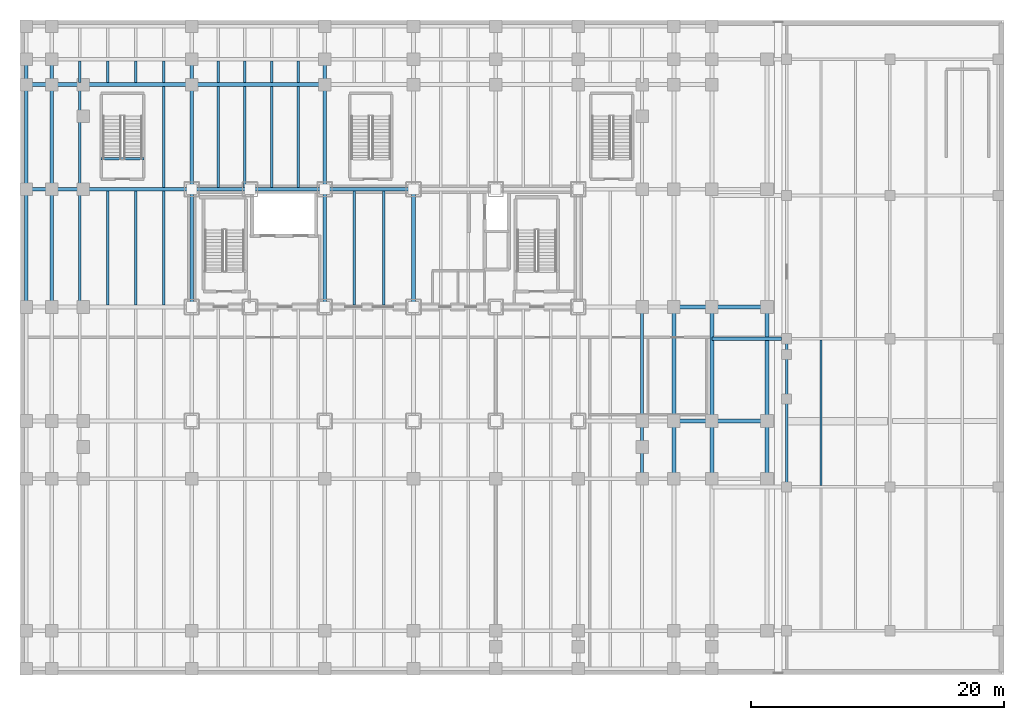
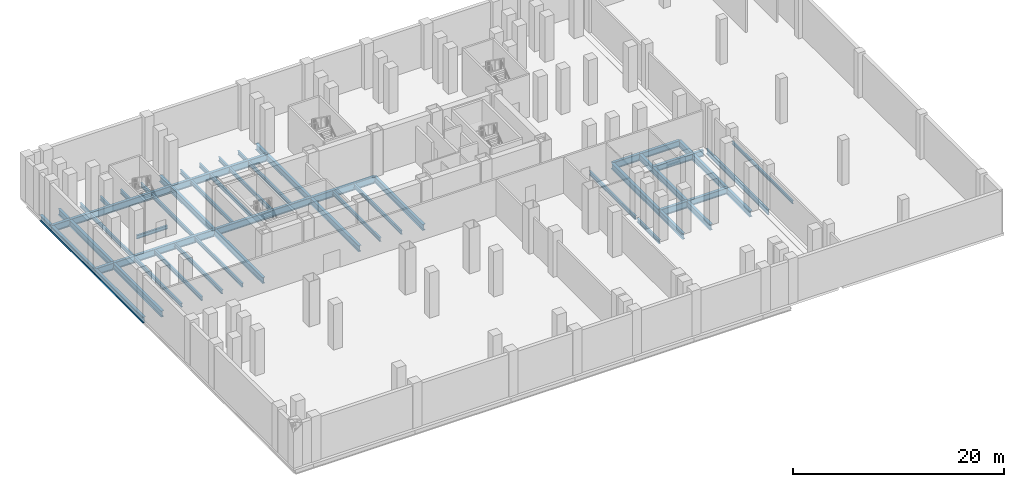
# One storey, part 4 of 15: 56 beams.
"""IFC4 building model written with IfcOpenShell, lengths in metres."""

from ifc_helpers import new_model, si_unit, direction, frame, origin, origin_2d, place, context, subcontext, project, spatial, i_section, extrude, material, material_profile, profile_set, type_object, element, save


model = new_model("IFC4")

# Units and contexts
model_context = context("Model", 3, precision=1e-05, world=origin(), true_north=direction((0.0, 1.0)))
body_context = subcontext(model_context, "Body", "Model", "MODEL_VIEW")
ifc_project = project(units=[si_unit("LENGTHUNIT", "METRE"), si_unit("AREAUNIT", "SQUARE_METRE"), si_unit("VOLUMEUNIT", "CUBIC_METRE"), si_unit("PLANEANGLEUNIT", "RADIAN"), si_unit("MASSUNIT", "GRAM", prefix="KILO")], contexts=[model_context])

# Site, building, storey
site_placement = place(None, origin())
site = spatial("IfcSite", under=ifc_project, at=site_placement, CompositionType="ELEMENT")
building_placement = place(site_placement, origin())
building = spatial("IfcBuilding", under=site, at=building_placement, Name="Noeulbin Bourse Tower", CompositionType="ELEMENT")
storey_placement = place(building_placement, frame((0.0, 0.0, -10.199951171875)))
storey = spatial("IfcBuildingStorey", under=building, at=storey_placement, Name="B02", CompositionType="ELEMENT", Elevation=-10.199951171875)

# Beams
ifc_material = material(Name="Steel S355", Category="steel")
ifc_material_profile_1 = material_profile(ifc_material, i_section(OverallWidth=0.199951171875, OverallDepth=0.60009765625, WebThickness=0.010986328125, FlangeThickness=0.01708984375, FilletRadius=0.02197265625, at=origin_2d()), Name="H-600x200x11x17", Category="LoadBearing")
ifc_profile_set_1 = profile_set([ifc_material_profile_1], Name="Steel S355")
beam_type_1 = type_object("IfcBeamType", Name="BM-GRD-600", PredefinedType="USERDEFINED", material=ifc_profile_set_1)
beam_1_placement = place(storey_placement, frame((60.449951171875, 14.800048828125, -0.580078125), z_axis=(0.0, 1.0, 0.0), x_axis=(-1.0, 0.0, 0.0)))
element("IfcBeam", 1, at=beam_1_placement, inside=storey, type_object=beam_type_1, Name="Market Hall Girder NS B02-12", ObjectType="GIRDER", PredefinedType="USERDEFINED", context=body_context, shape_type="SweptSolid", body=[
    extrude(i_section(OverallWidth=0.199951171875, OverallDepth=0.60009765625, WebThickness=0.010986328125, FlangeThickness=0.01708984375, FilletRadius=0.02197265625, at=origin_2d()), origin(), (0.0, 0.0, 1.0), 11.699951171875),
])
ifc_material_profile_2 = material_profile(ifc_material, i_section(OverallWidth=0.300048828125, OverallDepth=0.699951171875, WebThickness=0.012939453125, FlangeThickness=0.02392578125, FilletRadius=0.02392578125, at=origin_2d()), Name="H-700x300x13x24", Category="LoadBearing")
ifc_profile_set_2 = profile_set([ifc_material_profile_2], Name="Steel S355")
beam_type_2 = type_object("IfcBeamType", Name="BM-GRD-700", PredefinedType="USERDEFINED", material=ifc_profile_set_2)
beam_2_placement = place(storey_placement, frame((0.449951171875, 29.0, -0.630126953125), z_axis=(0.0, 1.0, 0.0), x_axis=(-1.0, 0.0, 0.0)))
element("IfcBeam", 2, at=beam_2_placement, inside=storey, type_object=beam_type_2, Name="Podium Primary Girder NS B02-077", ObjectType="GIRDER", PredefinedType="USERDEFINED", context=body_context, shape_type="SweptSolid", body=[
    extrude(i_section(OverallWidth=0.300048828125, OverallDepth=0.699951171875, WebThickness=0.012939453125, FlangeThickness=0.02392578125, FilletRadius=0.02392578125, at=origin_2d()), origin(), (0.0, 0.0, 1.0), 9.300048828125),
])
beam_3_placement = place(storey_placement, frame((0.449951171875, 38.300048828125, -0.630126953125), z_axis=(0.0, 1.0, 0.0), x_axis=(-1.0, 0.0, 0.0)))
element("IfcBeam", 3, at=beam_3_placement, inside=storey, type_object=beam_type_2, Name="Podium Primary Girder NS B02-078", ObjectType="GIRDER", PredefinedType="USERDEFINED", context=body_context, shape_type="SweptSolid", body=[
    extrude(i_section(OverallWidth=0.300048828125, OverallDepth=0.699951171875, WebThickness=0.012939453125, FlangeThickness=0.02392578125, FilletRadius=0.02392578125, at=origin_2d()), origin(), (0.0, 0.0, 1.0), 8.25),
])
beam_4_placement = place(storey_placement, frame((0.449951171875, 46.550048828125, -0.630126953125), z_axis=(0.0, 1.0, 0.0), x_axis=(-1.0, 0.0, 0.0)))
element("IfcBeam", 4, at=beam_4_placement, inside=storey, type_object=beam_type_2, Name="Podium Primary Girder NS B02-079", ObjectType="GIRDER", PredefinedType="USERDEFINED", context=body_context, shape_type="SweptSolid", body=[
    extrude(i_section(OverallWidth=0.300048828125, OverallDepth=0.699951171875, WebThickness=0.012939453125, FlangeThickness=0.02392578125, FilletRadius=0.02392578125, at=origin_2d()), origin(), (0.0, 0.0, 1.0), 2.0),
])
beam_5_placement = place(storey_placement, frame((2.449951171875, 29.0, -0.630126953125), z_axis=(0.0, 1.0, 0.0), x_axis=(-1.0, 0.0, 0.0)))
element("IfcBeam", 5, at=beam_5_placement, inside=storey, type_object=beam_type_2, Name="Podium Primary Girder NS B02-085", ObjectType="GIRDER", PredefinedType="USERDEFINED", context=body_context, shape_type="SweptSolid", body=[
    extrude(i_section(OverallWidth=0.300048828125, OverallDepth=0.699951171875, WebThickness=0.012939453125, FlangeThickness=0.02392578125, FilletRadius=0.02392578125, at=origin_2d()), origin(), (0.0, 0.0, 1.0), 9.300048828125),
])
beam_6_placement = place(storey_placement, frame((2.449951171875, 38.300048828125, -0.630126953125), z_axis=(0.0, 1.0, 0.0), x_axis=(-1.0, 0.0, 0.0)))
element("IfcBeam", 6, at=beam_6_placement, inside=storey, type_object=beam_type_2, Name="Podium Primary Girder NS B02-086", ObjectType="GIRDER", PredefinedType="USERDEFINED", context=body_context, shape_type="SweptSolid", body=[
    extrude(i_section(OverallWidth=0.300048828125, OverallDepth=0.699951171875, WebThickness=0.012939453125, FlangeThickness=0.02392578125, FilletRadius=0.02392578125, at=origin_2d()), origin(), (0.0, 0.0, 1.0), 8.25),
])
beam_7_placement = place(storey_placement, frame((2.449951171875, 46.550048828125, -0.630126953125), z_axis=(0.0, 1.0, 0.0), x_axis=(-1.0, 0.0, 0.0)))
element("IfcBeam", 7, at=beam_7_placement, inside=storey, type_object=beam_type_2, Name="Podium Primary Girder NS B02-087", ObjectType="GIRDER", PredefinedType="USERDEFINED", context=body_context, shape_type="SweptSolid", body=[
    extrude(i_section(OverallWidth=0.300048828125, OverallDepth=0.699951171875, WebThickness=0.012939453125, FlangeThickness=0.02392578125, FilletRadius=0.02392578125, at=origin_2d()), origin(), (0.0, 0.0, 1.0), 2.0),
])
beam_8_placement = place(storey_placement, frame((13.5, 29.0, -0.630126953125), z_axis=(0.0, 1.0, 0.0), x_axis=(-1.0, 0.0, 0.0)))
element("IfcBeam", 8, at=beam_8_placement, inside=storey, type_object=beam_type_2, Name="Podium Primary Girder NS B02-093", ObjectType="GIRDER", PredefinedType="USERDEFINED", context=body_context, shape_type="SweptSolid", body=[
    extrude(i_section(OverallWidth=0.300048828125, OverallDepth=0.699951171875, WebThickness=0.012939453125, FlangeThickness=0.02392578125, FilletRadius=0.02392578125, at=origin_2d()), origin(), (0.0, 0.0, 1.0), 9.300048828125),
])
beam_9_placement = place(storey_placement, frame((13.5, 38.300048828125, -0.630126953125), z_axis=(0.0, 1.0, 0.0), x_axis=(-1.0, 0.0, 0.0)))
element("IfcBeam", 9, at=beam_9_placement, inside=storey, type_object=beam_type_2, Name="Podium Primary Girder NS B02-094", ObjectType="GIRDER", PredefinedType="USERDEFINED", context=body_context, shape_type="SweptSolid", body=[
    extrude(i_section(OverallWidth=0.300048828125, OverallDepth=0.699951171875, WebThickness=0.012939453125, FlangeThickness=0.02392578125, FilletRadius=0.02392578125, at=origin_2d()), origin(), (0.0, 0.0, 1.0), 8.25),
])
beam_10_placement = place(storey_placement, frame((13.5, 46.550048828125, -0.630126953125), z_axis=(0.0, 1.0, 0.0), x_axis=(-1.0, 0.0, 0.0)))
element("IfcBeam", 10, at=beam_10_placement, inside=storey, type_object=beam_type_2, Name="Podium Primary Girder NS B02-095", ObjectType="GIRDER", PredefinedType="USERDEFINED", context=body_context, shape_type="SweptSolid", body=[
    extrude(i_section(OverallWidth=0.300048828125, OverallDepth=0.699951171875, WebThickness=0.012939453125, FlangeThickness=0.02392578125, FilletRadius=0.02392578125, at=origin_2d()), origin(), (0.0, 0.0, 1.0), 2.0),
])
beam_11_placement = place(storey_placement, frame((24.0, 29.0, -0.630126953125), z_axis=(0.0, 1.0, 0.0), x_axis=(-1.0, 0.0, 0.0)))
element("IfcBeam", 11, at=beam_11_placement, inside=storey, type_object=beam_type_2, Name="Podium Primary Girder NS B02-101", ObjectType="GIRDER", PredefinedType="USERDEFINED", context=body_context, shape_type="SweptSolid", body=[
    extrude(i_section(OverallWidth=0.300048828125, OverallDepth=0.699951171875, WebThickness=0.012939453125, FlangeThickness=0.02392578125, FilletRadius=0.02392578125, at=origin_2d()), origin(), (0.0, 0.0, 1.0), 9.300048828125),
])
beam_12_placement = place(storey_placement, frame((24.0, 38.300048828125, -0.630126953125), z_axis=(0.0, 1.0, 0.0), x_axis=(-1.0, 0.0, 0.0)))
element("IfcBeam", 12, at=beam_12_placement, inside=storey, type_object=beam_type_2, Name="Podium Primary Girder NS B02-102", ObjectType="GIRDER", PredefinedType="USERDEFINED", context=body_context, shape_type="SweptSolid", body=[
    extrude(i_section(OverallWidth=0.300048828125, OverallDepth=0.699951171875, WebThickness=0.012939453125, FlangeThickness=0.02392578125, FilletRadius=0.02392578125, at=origin_2d()), origin(), (0.0, 0.0, 1.0), 8.25),
])
beam_13_placement = place(storey_placement, frame((24.0, 46.550048828125, -0.630126953125), z_axis=(0.0, 1.0, 0.0), x_axis=(-1.0, 0.0, 0.0)))
element("IfcBeam", 13, at=beam_13_placement, inside=storey, type_object=beam_type_2, Name="Podium Primary Girder NS B02-103", ObjectType="GIRDER", PredefinedType="USERDEFINED", context=body_context, shape_type="SweptSolid", body=[
    extrude(i_section(OverallWidth=0.300048828125, OverallDepth=0.699951171875, WebThickness=0.012939453125, FlangeThickness=0.02392578125, FilletRadius=0.02392578125, at=origin_2d()), origin(), (0.0, 0.0, 1.0), 2.0),
])
beam_14_placement = place(storey_placement, frame((31.0, 29.0, -0.630126953125), z_axis=(0.0, 1.0, 0.0), x_axis=(-1.0, 0.0, 0.0)))
element("IfcBeam", 14, at=beam_14_placement, inside=storey, type_object=beam_type_2, Name="Podium Primary Girder NS B02-109", ObjectType="GIRDER", PredefinedType="USERDEFINED", context=body_context, shape_type="SweptSolid", body=[
    extrude(i_section(OverallWidth=0.300048828125, OverallDepth=0.699951171875, WebThickness=0.012939453125, FlangeThickness=0.02392578125, FilletRadius=0.02392578125, at=origin_2d()), origin(), (0.0, 0.0, 1.0), 9.300048828125),
])
beam_15_placement = place(storey_placement, frame((51.550048828125, 15.449951171875, -0.630126953125), z_axis=(0.0, 1.0, 0.0), x_axis=(-1.0, 0.0, 0.0)))
element("IfcBeam", 15, at=beam_15_placement, inside=storey, type_object=beam_type_2, Name="Podium Primary Girder NS B02-130", ObjectType="GIRDER", PredefinedType="USERDEFINED", context=body_context, shape_type="SweptSolid", body=[
    extrude(i_section(OverallWidth=0.300048828125, OverallDepth=0.699951171875, WebThickness=0.012939453125, FlangeThickness=0.02392578125, FilletRadius=0.02392578125, at=origin_2d()), origin(), (0.0, 0.0, 1.0), 4.550048828125),
])
beam_16_placement = place(storey_placement, frame((51.550048828125, 20.0, -0.630126953125), z_axis=(0.0, 1.0, 0.0), x_axis=(-1.0, 0.0, 0.0)))
element("IfcBeam", 16, at=beam_16_placement, inside=storey, type_object=beam_type_2, Name="Podium Primary Girder NS B02-131", ObjectType="GIRDER", PredefinedType="USERDEFINED", context=body_context, shape_type="SweptSolid", body=[
    extrude(i_section(OverallWidth=0.300048828125, OverallDepth=0.699951171875, WebThickness=0.012939453125, FlangeThickness=0.02392578125, FilletRadius=0.02392578125, at=origin_2d()), origin(), (0.0, 0.0, 1.0), 9.0),
])
beam_17_placement = place(storey_placement, frame((54.550048828125, 15.449951171875, -0.630126953125), z_axis=(0.0, 1.0, 0.0), x_axis=(-1.0, 0.0, 0.0)))
element("IfcBeam", 17, at=beam_17_placement, inside=storey, type_object=beam_type_2, Name="Podium Primary Girder NS B02-138", ObjectType="GIRDER", PredefinedType="USERDEFINED", context=body_context, shape_type="SweptSolid", body=[
    extrude(i_section(OverallWidth=0.300048828125, OverallDepth=0.699951171875, WebThickness=0.012939453125, FlangeThickness=0.02392578125, FilletRadius=0.02392578125, at=origin_2d()), origin(), (0.0, 0.0, 1.0), 4.550048828125),
])
beam_18_placement = place(storey_placement, frame((54.550048828125, 20.0, -0.630126953125), z_axis=(0.0, 1.0, 0.0), x_axis=(-1.0, 0.0, 0.0)))
element("IfcBeam", 18, at=beam_18_placement, inside=storey, type_object=beam_type_2, Name="Podium Primary Girder NS B02-139", ObjectType="GIRDER", PredefinedType="USERDEFINED", context=body_context, shape_type="SweptSolid", body=[
    extrude(i_section(OverallWidth=0.300048828125, OverallDepth=0.699951171875, WebThickness=0.012939453125, FlangeThickness=0.02392578125, FilletRadius=0.02392578125, at=origin_2d()), origin(), (0.0, 0.0, 1.0), 9.0),
])
beam_19_placement = place(storey_placement, frame((54.550048828125, 26.5, -0.630126953125), z_axis=(1.0, 0.0, 0.0), x_axis=(0.0, 1.0, 0.0)))
element("IfcBeam", 19, at=beam_19_placement, inside=storey, type_object=beam_type_2, Name="Concourse Slot Girder B02-03", ObjectType="GIRDER", PredefinedType="USERDEFINED", context=body_context, shape_type="SweptSolid", body=[
    extrude(i_section(OverallWidth=0.300048828125, OverallDepth=0.699951171875, WebThickness=0.012939453125, FlangeThickness=0.02392578125, FilletRadius=0.02392578125, at=origin_2d()), origin(), (0.0, 0.0, 1.0), 5.5),
])
for number, where, z_axis, x_axis, name in (
    (20, (54.550048828125, 20.0, -0.630126953125), (1.0, 0.0, 0.0), (0.0, 1.0, 0.0), "BM-B02-JNT-EW-3"),
    (21, (54.550048828125, 29.0, -0.630126953125), (1.0, 0.0, 0.0), (0.0, 1.0, 0.0), "BM-B02-JNT-EW-4"),
):
    element("IfcBeam", number, at=place(storey_placement, frame(where, z_axis=z_axis, x_axis=x_axis)), inside=storey, type_object=beam_type_2, Name=name, ObjectType="GIRDER", PredefinedType="USERDEFINED", context=body_context, shape_type="SweptSolid", body=[
        extrude(i_section(OverallWidth=0.300048828125, OverallDepth=0.699951171875, WebThickness=0.012939453125, FlangeThickness=0.02392578125, FilletRadius=0.02392578125, at=origin_2d()), origin(), (0.0, 0.0, 1.0), 4.349853515625),
    ])
beam_20_placement = place(storey_placement, frame((58.89990234375, 15.449951171875, -0.630126953125), z_axis=(0.0, 1.0, 0.0), x_axis=(-1.0, 0.0, 0.0)))
element("IfcBeam", 22, at=beam_20_placement, inside=storey, type_object=beam_type_2, Name="BM-B02-JNT-NS-2", ObjectType="GIRDER", PredefinedType="USERDEFINED", context=body_context, shape_type="SweptSolid", body=[
    extrude(i_section(OverallWidth=0.300048828125, OverallDepth=0.699951171875, WebThickness=0.012939453125, FlangeThickness=0.02392578125, FilletRadius=0.02392578125, at=origin_2d()), origin(), (0.0, 0.0, 1.0), 4.550048828125),
])
beam_21_placement = place(storey_placement, frame((58.89990234375, 20.0, -0.630126953125), z_axis=(0.0, 1.0, 0.0), x_axis=(-1.0, 0.0, 0.0)))
element("IfcBeam", 23, at=beam_21_placement, inside=storey, type_object=beam_type_2, Name="BM-B02-JNT-NS-3", ObjectType="GIRDER", PredefinedType="USERDEFINED", context=body_context, shape_type="SweptSolid", body=[
    extrude(i_section(OverallWidth=0.300048828125, OverallDepth=0.699951171875, WebThickness=0.012939453125, FlangeThickness=0.02392578125, FilletRadius=0.02392578125, at=origin_2d()), origin(), (0.0, 0.0, 1.0), 9.0),
])
ifc_material_profile_3 = material_profile(ifc_material, i_section(OverallWidth=0.300048828125, OverallDepth=0.800048828125, WebThickness=0.013916015625, FlangeThickness=0.02587890625, FilletRadius=0.02587890625, at=origin_2d()), Name="H-800x300x14x26", Category="LoadBearing")
ifc_profile_set_3 = profile_set([ifc_material_profile_3], Name="Steel S355")
beam_type_3 = type_object("IfcBeamType", Name="BM-GRD-800", PredefinedType="USERDEFINED", material=ifc_profile_set_3)
for number, where, z_axis, x_axis, name in (
    (24, (51.550048828125, 20.0, -0.679931640625), (1.0, 0.0, 0.0), (0.0, 1.0, 0.0), "Podium Primary Girder EW B02-032"),
    (25, (51.550048828125, 29.0, -0.679931640625), (1.0, 0.0, 0.0), (0.0, 1.0, 0.0), "Podium Primary Girder EW B02-040"),
):
    element("IfcBeam", number, at=place(storey_placement, frame(where, z_axis=z_axis, x_axis=x_axis)), inside=storey, type_object=beam_type_3, Name=name, ObjectType="GIRDER", PredefinedType="USERDEFINED", context=body_context, shape_type="SweptSolid", body=[
        extrude(i_section(OverallWidth=0.300048828125, OverallDepth=0.800048828125, WebThickness=0.013916015625, FlangeThickness=0.02587890625, FilletRadius=0.02587890625, at=origin_2d()), origin(), (0.0, 0.0, 1.0), 3.0),
    ])
beam_22_placement = place(storey_placement, frame((0.449951171875, 38.300048828125, -0.679931640625), z_axis=(1.0, 0.0, 0.0), x_axis=(0.0, 1.0, 0.0)))
element("IfcBeam", 26, at=beam_22_placement, inside=storey, type_object=beam_type_3, Name="Podium Primary Girder EW B02-041", ObjectType="GIRDER", PredefinedType="USERDEFINED", context=body_context, shape_type="SweptSolid", body=[
    extrude(i_section(OverallWidth=0.300048828125, OverallDepth=0.800048828125, WebThickness=0.013916015625, FlangeThickness=0.02587890625, FilletRadius=0.02587890625, at=origin_2d()), origin(), (0.0, 0.0, 1.0), 2.0),
])
beam_23_placement = place(storey_placement, frame((2.449951171875, 38.300048828125, -0.679931640625), z_axis=(1.0, 0.0, 0.0), x_axis=(0.0, 1.0, 0.0)))
element("IfcBeam", 27, at=beam_23_placement, inside=storey, type_object=beam_type_3, Name="Podium Primary Girder EW B02-042", ObjectType="GIRDER", PredefinedType="USERDEFINED", context=body_context, shape_type="SweptSolid", body=[
    extrude(i_section(OverallWidth=0.300048828125, OverallDepth=0.800048828125, WebThickness=0.013916015625, FlangeThickness=0.02587890625, FilletRadius=0.02587890625, at=origin_2d()), origin(), (0.0, 0.0, 1.0), 11.050048828125),
])
beam_24_placement = place(storey_placement, frame((13.5, 38.300048828125, -0.679931640625), z_axis=(1.0, 0.0, 0.0), x_axis=(0.0, 1.0, 0.0)))
element("IfcBeam", 28, at=beam_24_placement, inside=storey, type_object=beam_type_3, Name="Podium Primary Girder EW B02-043", ObjectType="GIRDER", PredefinedType="USERDEFINED", context=body_context, shape_type="SweptSolid", body=[
    extrude(i_section(OverallWidth=0.300048828125, OverallDepth=0.800048828125, WebThickness=0.013916015625, FlangeThickness=0.02587890625, FilletRadius=0.02587890625, at=origin_2d()), origin(), (0.0, 0.0, 1.0), 10.5),
])
beam_25_placement = place(storey_placement, frame((24.0, 38.300048828125, -0.679931640625), z_axis=(1.0, 0.0, 0.0), x_axis=(0.0, 1.0, 0.0)))
element("IfcBeam", 29, at=beam_25_placement, inside=storey, type_object=beam_type_3, Name="Podium Primary Girder EW B02-044", ObjectType="GIRDER", PredefinedType="USERDEFINED", context=body_context, shape_type="SweptSolid", body=[
    extrude(i_section(OverallWidth=0.300048828125, OverallDepth=0.800048828125, WebThickness=0.013916015625, FlangeThickness=0.02587890625, FilletRadius=0.02587890625, at=origin_2d()), origin(), (0.0, 0.0, 1.0), 7.0),
])
beam_26_placement = place(storey_placement, frame((0.449951171875, 46.550048828125, -0.679931640625), z_axis=(1.0, 0.0, 0.0), x_axis=(0.0, 1.0, 0.0)))
element("IfcBeam", 30, at=beam_26_placement, inside=storey, type_object=beam_type_3, Name="Podium Primary Girder EW B02-049", ObjectType="GIRDER", PredefinedType="USERDEFINED", context=body_context, shape_type="SweptSolid", body=[
    extrude(i_section(OverallWidth=0.300048828125, OverallDepth=0.800048828125, WebThickness=0.013916015625, FlangeThickness=0.02587890625, FilletRadius=0.02587890625, at=origin_2d()), origin(), (0.0, 0.0, 1.0), 2.0),
])
beam_27_placement = place(storey_placement, frame((2.449951171875, 46.550048828125, -0.679931640625), z_axis=(1.0, 0.0, 0.0), x_axis=(0.0, 1.0, 0.0)))
element("IfcBeam", 31, at=beam_27_placement, inside=storey, type_object=beam_type_3, Name="Podium Primary Girder EW B02-050", ObjectType="GIRDER", PredefinedType="USERDEFINED", context=body_context, shape_type="SweptSolid", body=[
    extrude(i_section(OverallWidth=0.300048828125, OverallDepth=0.800048828125, WebThickness=0.013916015625, FlangeThickness=0.02587890625, FilletRadius=0.02587890625, at=origin_2d()), origin(), (0.0, 0.0, 1.0), 11.050048828125),
])
beam_28_placement = place(storey_placement, frame((13.5, 46.550048828125, -0.679931640625), z_axis=(1.0, 0.0, 0.0), x_axis=(0.0, 1.0, 0.0)))
element("IfcBeam", 32, at=beam_28_placement, inside=storey, type_object=beam_type_3, Name="Podium Primary Girder EW B02-051", ObjectType="GIRDER", PredefinedType="USERDEFINED", context=body_context, shape_type="SweptSolid", body=[
    extrude(i_section(OverallWidth=0.300048828125, OverallDepth=0.800048828125, WebThickness=0.013916015625, FlangeThickness=0.02587890625, FilletRadius=0.02587890625, at=origin_2d()), origin(), (0.0, 0.0, 1.0), 10.5),
])
ifc_material_profile_4 = material_profile(ifc_material, i_section(OverallWidth=0.175048828125, OverallDepth=0.35009765625, WebThickness=0.007080078125, FlangeThickness=0.010986328125, FilletRadius=0.013916015625, at=origin_2d()), Name="H-350x175x7x11", Category="LoadBearing")
ifc_profile_set_4 = profile_set([ifc_material_profile_4], Name="Steel S355")
beam_type_4 = type_object("IfcBeamType", Name="BM-JST-350", PredefinedType="JOIST", material=ifc_profile_set_4)
beam_29_placement = place(storey_placement, frame((63.166748046875, 14.89990234375, -0.455078125), z_axis=(0.0, 1.0, 0.0), x_axis=(-1.0, 0.0, 0.0)))
element("IfcBeam", 33, at=beam_29_placement, inside=storey, type_object=beam_type_4, Name="Market Hall Secondary Joist B02-02", PredefinedType="JOIST", context=body_context, shape_type="SweptSolid", body=[
    extrude(i_section(OverallWidth=0.175048828125, OverallDepth=0.35009765625, WebThickness=0.007080078125, FlangeThickness=0.010986328125, FilletRadius=0.013916015625, at=origin_2d()), origin(), (0.0, 0.0, 1.0), 11.5),
])
ifc_material_profile_5 = material_profile(ifc_material, i_section(OverallWidth=0.199951171875, OverallDepth=0.39990234375, WebThickness=0.008056640625, FlangeThickness=0.012939453125, FilletRadius=0.01611328125, at=origin_2d()), Name="H-400x200x8x13", Category="LoadBearing")
ifc_profile_set_5 = profile_set([ifc_material_profile_5], Name="Steel S355")
beam_type_5 = type_object("IfcBeamType", Name="BM-SEC-400", PredefinedType="BEAM", material=ifc_profile_set_5)
beam_30_placement = place(storey_placement, frame((6.360107421875, 40.68994140625, -0.199951171875), z_axis=(1.0, 0.0, 0.0), x_axis=(0.0, 1.0, 0.0)))
element("IfcBeam", 34, at=beam_30_placement, inside=storey, type_object=beam_type_5, Name="Stair Threshold Trimmer Beam STS1-B02", PredefinedType="BEAM", context=body_context, shape_type="SweptSolid", body=[
    extrude(i_section(OverallWidth=0.199951171875, OverallDepth=0.39990234375, WebThickness=0.008056640625, FlangeThickness=0.012939453125, FilletRadius=0.01611328125, at=origin_2d()), origin(), (0.0, 0.0, 1.0), 3.35986328125),
])
ifc_material_profile_6 = material_profile(ifc_material, i_section(OverallWidth=0.199951171875, OverallDepth=0.449951171875, WebThickness=0.009033203125, FlangeThickness=0.013916015625, FilletRadius=0.01806640625, at=origin_2d()), Name="H-450x200x9x14", Category="LoadBearing")
ifc_profile_set_6 = profile_set([ifc_material_profile_6], Name="Steel S355")
beam_type_6 = type_object("IfcBeamType", Name="BM-SEC-450", PredefinedType="BEAM", material=ifc_profile_set_6)
beam_31_placement = place(storey_placement, frame((4.659912109375, 29.14990234375, -0.505126953125), z_axis=(0.0, 1.0, 0.0), x_axis=(-1.0, 0.0, 0.0)))
element("IfcBeam", 35, at=beam_31_placement, inside=storey, type_object=beam_type_6, Name="Podium Secondary Beam B02-005", PredefinedType="BEAM", context=body_context, shape_type="SweptSolid", body=[
    extrude(i_section(OverallWidth=0.199951171875, OverallDepth=0.449951171875, WebThickness=0.009033203125, FlangeThickness=0.013916015625, FilletRadius=0.01806640625, at=origin_2d()), origin(), (0.0, 0.0, 1.0), 9.0),
])
beam_32_placement = place(storey_placement, frame((4.659912109375, 38.449951171875, -0.505126953125), z_axis=(0.0, 1.0, 0.0), x_axis=(-1.0, 0.0, 0.0)))
element("IfcBeam", 36, at=beam_32_placement, inside=storey, type_object=beam_type_6, Name="Podium Secondary Beam B02-006", PredefinedType="BEAM", context=body_context, shape_type="SweptSolid", body=[
    extrude(i_section(OverallWidth=0.199951171875, OverallDepth=0.449951171875, WebThickness=0.009033203125, FlangeThickness=0.013916015625, FilletRadius=0.01806640625, at=origin_2d()), origin(), (0.0, 0.0, 1.0), 7.949951171875),
])
beam_33_placement = place(storey_placement, frame((4.659912109375, 46.699951171875, -0.505126953125), z_axis=(0.0, 1.0, 0.0), x_axis=(-1.0, 0.0, 0.0)))
element("IfcBeam", 37, at=beam_33_placement, inside=storey, type_object=beam_type_6, Name="Podium Secondary Beam B02-007", PredefinedType="BEAM", context=body_context, shape_type="SweptSolid", body=[
    extrude(i_section(OverallWidth=0.199951171875, OverallDepth=0.449951171875, WebThickness=0.009033203125, FlangeThickness=0.013916015625, FilletRadius=0.01806640625, at=origin_2d()), origin(), (0.0, 0.0, 1.0), 1.699951171875),
])
beam_34_placement = place(storey_placement, frame((6.8701171875, 29.14990234375, -0.505126953125), z_axis=(0.0, 1.0, 0.0), x_axis=(-1.0, 0.0, 0.0)))
element("IfcBeam", 38, at=beam_34_placement, inside=storey, type_object=beam_type_6, Name="Podium Secondary Beam B02-013", PredefinedType="BEAM", context=body_context, shape_type="SweptSolid", body=[
    extrude(i_section(OverallWidth=0.199951171875, OverallDepth=0.449951171875, WebThickness=0.009033203125, FlangeThickness=0.013916015625, FilletRadius=0.01806640625, at=origin_2d()), origin(), (0.0, 0.0, 1.0), 9.0),
])
beam_35_placement = place(storey_placement, frame((6.8701171875, 46.699951171875, -0.505126953125), z_axis=(0.0, 1.0, 0.0), x_axis=(-1.0, 0.0, 0.0)))
element("IfcBeam", 39, at=beam_35_placement, inside=storey, type_object=beam_type_6, Name="Podium Secondary Beam B02-014", PredefinedType="BEAM", context=body_context, shape_type="SweptSolid", body=[
    extrude(i_section(OverallWidth=0.199951171875, OverallDepth=0.449951171875, WebThickness=0.009033203125, FlangeThickness=0.013916015625, FilletRadius=0.01806640625, at=origin_2d()), origin(), (0.0, 0.0, 1.0), 1.699951171875),
])
beam_36_placement = place(storey_placement, frame((9.080078125, 29.14990234375, -0.505126953125), z_axis=(0.0, 1.0, 0.0), x_axis=(-1.0, 0.0, 0.0)))
element("IfcBeam", 40, at=beam_36_placement, inside=storey, type_object=beam_type_6, Name="Podium Secondary Beam B02-020", PredefinedType="BEAM", context=body_context, shape_type="SweptSolid", body=[
    extrude(i_section(OverallWidth=0.199951171875, OverallDepth=0.449951171875, WebThickness=0.009033203125, FlangeThickness=0.013916015625, FilletRadius=0.01806640625, at=origin_2d()), origin(), (0.0, 0.0, 1.0), 9.0),
])
beam_37_placement = place(storey_placement, frame((9.080078125, 46.699951171875, -0.505126953125), z_axis=(0.0, 1.0, 0.0), x_axis=(-1.0, 0.0, 0.0)))
element("IfcBeam", 41, at=beam_37_placement, inside=storey, type_object=beam_type_6, Name="Podium Secondary Beam B02-021", PredefinedType="BEAM", context=body_context, shape_type="SweptSolid", body=[
    extrude(i_section(OverallWidth=0.199951171875, OverallDepth=0.449951171875, WebThickness=0.009033203125, FlangeThickness=0.013916015625, FilletRadius=0.01806640625, at=origin_2d()), origin(), (0.0, 0.0, 1.0), 1.699951171875),
])
beam_38_placement = place(storey_placement, frame((11.2900390625, 29.14990234375, -0.505126953125), z_axis=(0.0, 1.0, 0.0), x_axis=(-1.0, 0.0, 0.0)))
element("IfcBeam", 42, at=beam_38_placement, inside=storey, type_object=beam_type_6, Name="Podium Secondary Beam B02-027", PredefinedType="BEAM", context=body_context, shape_type="SweptSolid", body=[
    extrude(i_section(OverallWidth=0.199951171875, OverallDepth=0.449951171875, WebThickness=0.009033203125, FlangeThickness=0.013916015625, FilletRadius=0.01806640625, at=origin_2d()), origin(), (0.0, 0.0, 1.0), 9.0),
])
beam_39_placement = place(storey_placement, frame((11.2900390625, 38.449951171875, -0.505126953125), z_axis=(0.0, 1.0, 0.0), x_axis=(-1.0, 0.0, 0.0)))
element("IfcBeam", 43, at=beam_39_placement, inside=storey, type_object=beam_type_6, Name="Podium Secondary Beam B02-028", PredefinedType="BEAM", context=body_context, shape_type="SweptSolid", body=[
    extrude(i_section(OverallWidth=0.199951171875, OverallDepth=0.449951171875, WebThickness=0.009033203125, FlangeThickness=0.013916015625, FilletRadius=0.01806640625, at=origin_2d()), origin(), (0.0, 0.0, 1.0), 7.949951171875),
])
beam_40_placement = place(storey_placement, frame((11.2900390625, 46.699951171875, -0.505126953125), z_axis=(0.0, 1.0, 0.0), x_axis=(-1.0, 0.0, 0.0)))
element("IfcBeam", 44, at=beam_40_placement, inside=storey, type_object=beam_type_6, Name="Podium Secondary Beam B02-029", PredefinedType="BEAM", context=body_context, shape_type="SweptSolid", body=[
    extrude(i_section(OverallWidth=0.199951171875, OverallDepth=0.449951171875, WebThickness=0.009033203125, FlangeThickness=0.013916015625, FilletRadius=0.01806640625, at=origin_2d()), origin(), (0.0, 0.0, 1.0), 1.699951171875),
])
beam_41_placement = place(storey_placement, frame((15.60009765625, 38.449951171875, -0.505126953125), z_axis=(0.0, 1.0, 0.0), x_axis=(-1.0, 0.0, 0.0)))
element("IfcBeam", 45, at=beam_41_placement, inside=storey, type_object=beam_type_6, Name="Podium Secondary Beam B02-035", PredefinedType="BEAM", context=body_context, shape_type="SweptSolid", body=[
    extrude(i_section(OverallWidth=0.199951171875, OverallDepth=0.449951171875, WebThickness=0.009033203125, FlangeThickness=0.013916015625, FilletRadius=0.01806640625, at=origin_2d()), origin(), (0.0, 0.0, 1.0), 7.949951171875),
])
beam_42_placement = place(storey_placement, frame((15.60009765625, 46.699951171875, -0.505126953125), z_axis=(0.0, 1.0, 0.0), x_axis=(-1.0, 0.0, 0.0)))
element("IfcBeam", 46, at=beam_42_placement, inside=storey, type_object=beam_type_6, Name="Podium Secondary Beam B02-036", PredefinedType="BEAM", context=body_context, shape_type="SweptSolid", body=[
    extrude(i_section(OverallWidth=0.199951171875, OverallDepth=0.449951171875, WebThickness=0.009033203125, FlangeThickness=0.013916015625, FilletRadius=0.01806640625, at=origin_2d()), origin(), (0.0, 0.0, 1.0), 1.699951171875),
])
beam_43_placement = place(storey_placement, frame((17.699951171875, 38.449951171875, -0.505126953125), z_axis=(0.0, 1.0, 0.0), x_axis=(-1.0, 0.0, 0.0)))
element("IfcBeam", 47, at=beam_43_placement, inside=storey, type_object=beam_type_6, Name="Podium Secondary Beam B02-042", PredefinedType="BEAM", context=body_context, shape_type="SweptSolid", body=[
    extrude(i_section(OverallWidth=0.199951171875, OverallDepth=0.449951171875, WebThickness=0.009033203125, FlangeThickness=0.013916015625, FilletRadius=0.01806640625, at=origin_2d()), origin(), (0.0, 0.0, 1.0), 7.949951171875),
])
beam_44_placement = place(storey_placement, frame((17.699951171875, 46.699951171875, -0.505126953125), z_axis=(0.0, 1.0, 0.0), x_axis=(-1.0, 0.0, 0.0)))
element("IfcBeam", 48, at=beam_44_placement, inside=storey, type_object=beam_type_6, Name="Podium Secondary Beam B02-043", PredefinedType="BEAM", context=body_context, shape_type="SweptSolid", body=[
    extrude(i_section(OverallWidth=0.199951171875, OverallDepth=0.449951171875, WebThickness=0.009033203125, FlangeThickness=0.013916015625, FilletRadius=0.01806640625, at=origin_2d()), origin(), (0.0, 0.0, 1.0), 1.699951171875),
])
beam_45_placement = place(storey_placement, frame((19.800048828125, 38.449951171875, -0.505126953125), z_axis=(0.0, 1.0, 0.0), x_axis=(-1.0, 0.0, 0.0)))
element("IfcBeam", 49, at=beam_45_placement, inside=storey, type_object=beam_type_6, Name="Podium Secondary Beam B02-049", PredefinedType="BEAM", context=body_context, shape_type="SweptSolid", body=[
    extrude(i_section(OverallWidth=0.199951171875, OverallDepth=0.449951171875, WebThickness=0.009033203125, FlangeThickness=0.013916015625, FilletRadius=0.01806640625, at=origin_2d()), origin(), (0.0, 0.0, 1.0), 7.949951171875),
])
beam_46_placement = place(storey_placement, frame((19.800048828125, 46.699951171875, -0.505126953125), z_axis=(0.0, 1.0, 0.0), x_axis=(-1.0, 0.0, 0.0)))
element("IfcBeam", 50, at=beam_46_placement, inside=storey, type_object=beam_type_6, Name="Podium Secondary Beam B02-050", PredefinedType="BEAM", context=body_context, shape_type="SweptSolid", body=[
    extrude(i_section(OverallWidth=0.199951171875, OverallDepth=0.449951171875, WebThickness=0.009033203125, FlangeThickness=0.013916015625, FilletRadius=0.01806640625, at=origin_2d()), origin(), (0.0, 0.0, 1.0), 1.699951171875),
])
beam_47_placement = place(storey_placement, frame((21.89990234375, 38.449951171875, -0.505126953125), z_axis=(0.0, 1.0, 0.0), x_axis=(-1.0, 0.0, 0.0)))
element("IfcBeam", 51, at=beam_47_placement, inside=storey, type_object=beam_type_6, Name="Podium Secondary Beam B02-056", PredefinedType="BEAM", context=body_context, shape_type="SweptSolid", body=[
    extrude(i_section(OverallWidth=0.199951171875, OverallDepth=0.449951171875, WebThickness=0.009033203125, FlangeThickness=0.013916015625, FilletRadius=0.01806640625, at=origin_2d()), origin(), (0.0, 0.0, 1.0), 7.949951171875),
])
beam_48_placement = place(storey_placement, frame((21.89990234375, 46.699951171875, -0.505126953125), z_axis=(0.0, 1.0, 0.0), x_axis=(-1.0, 0.0, 0.0)))
element("IfcBeam", 52, at=beam_48_placement, inside=storey, type_object=beam_type_6, Name="Podium Secondary Beam B02-057", PredefinedType="BEAM", context=body_context, shape_type="SweptSolid", body=[
    extrude(i_section(OverallWidth=0.199951171875, OverallDepth=0.449951171875, WebThickness=0.009033203125, FlangeThickness=0.013916015625, FilletRadius=0.01806640625, at=origin_2d()), origin(), (0.0, 0.0, 1.0), 1.699951171875),
])
for number, where, z_axis, x_axis, name in (
    (53, (26.333251953125, 29.14990234375, -0.505126953125), (0.0, 1.0, 0.0), (-1.0, 0.0, 0.0), "Podium Secondary Beam B02-063"),
    (54, (28.666748046875, 29.14990234375, -0.505126953125), (0.0, 1.0, 0.0), (-1.0, 0.0, 0.0), "Podium Secondary Beam B02-070"),
):
    element("IfcBeam", number, at=place(storey_placement, frame(where, z_axis=z_axis, x_axis=x_axis)), inside=storey, type_object=beam_type_6, Name=name, PredefinedType="BEAM", context=body_context, shape_type="SweptSolid", body=[
        extrude(i_section(OverallWidth=0.199951171875, OverallDepth=0.449951171875, WebThickness=0.009033203125, FlangeThickness=0.013916015625, FilletRadius=0.01806640625, at=origin_2d()), origin(), (0.0, 0.0, 1.0), 9.0),
    ])
beam_49_placement = place(storey_placement, frame((49.033203125, 15.60009765625, -0.505126953125), z_axis=(0.0, 1.0, 0.0), x_axis=(-1.0, 0.0, 0.0)))
element("IfcBeam", 55, at=beam_49_placement, inside=storey, type_object=beam_type_6, Name="Podium Secondary Beam B02-112", PredefinedType="BEAM", context=body_context, shape_type="SweptSolid", body=[
    extrude(i_section(OverallWidth=0.199951171875, OverallDepth=0.449951171875, WebThickness=0.009033203125, FlangeThickness=0.013916015625, FilletRadius=0.01806640625, at=origin_2d()), origin(), (0.0, 0.0, 1.0), 4.25),
])
beam_50_placement = place(storey_placement, frame((49.033203125, 20.14990234375, -0.505126953125), z_axis=(0.0, 1.0, 0.0), x_axis=(-1.0, 0.0, 0.0)))
element("IfcBeam", 56, at=beam_50_placement, inside=storey, type_object=beam_type_6, Name="Podium Secondary Beam B02-113", PredefinedType="BEAM", context=body_context, shape_type="SweptSolid", body=[
    extrude(i_section(OverallWidth=0.199951171875, OverallDepth=0.449951171875, WebThickness=0.009033203125, FlangeThickness=0.013916015625, FilletRadius=0.01806640625, at=origin_2d()), origin(), (0.0, 0.0, 1.0), 8.7001953125),
])

save(model, "model.ifc")
